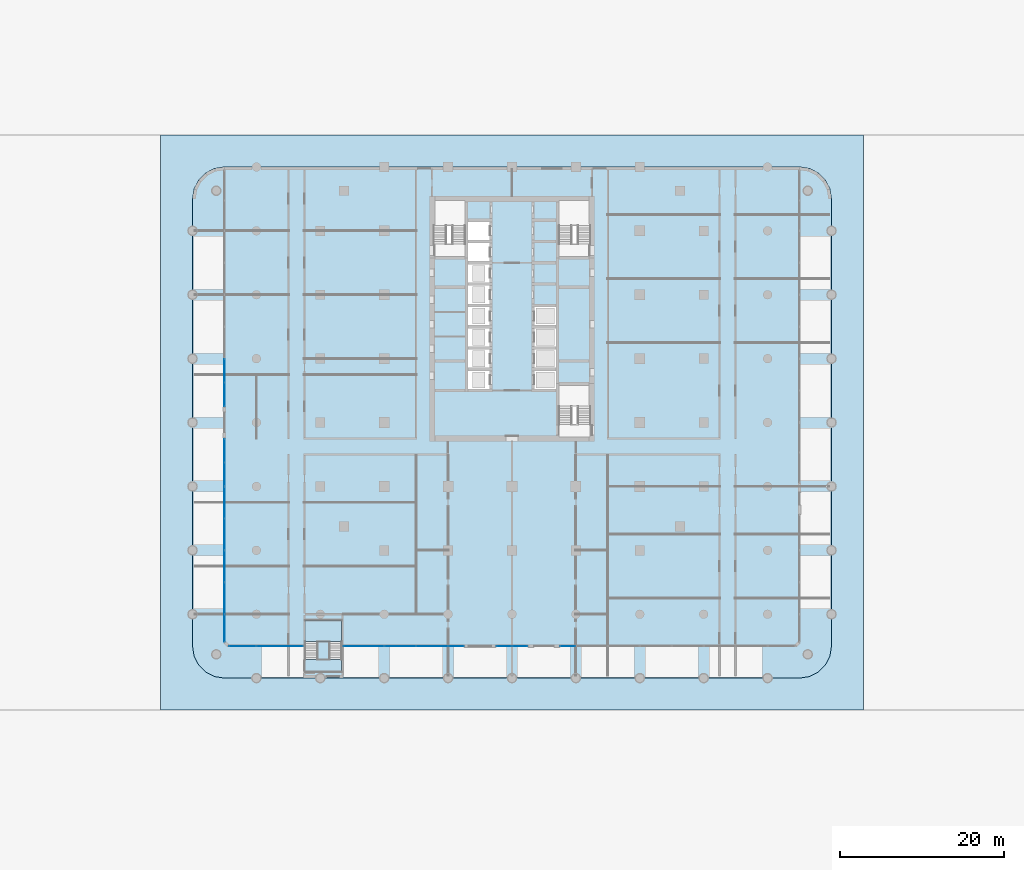
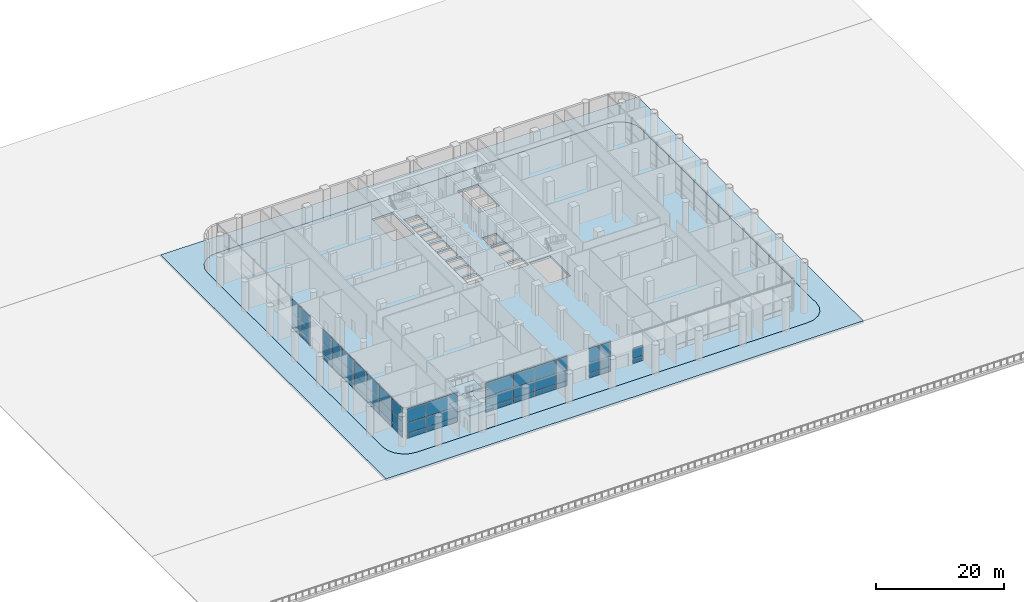
# One storey, part 8 of 32: 53 plates, 5 slabs, 14 elements without a shape of their own.
"""IFC4 building model written with IfcOpenShell, lengths in metres."""

from ifc_helpers import new_model, si_unit, direction, frame, origin, origin_2d, place, context, subcontext, project, spatial, polyline, rectangle, outline, extrude, material, layer, layer_set, type_object, element, aggregate, save


model = new_model("IFC4")

# Units and contexts
model_context = context("Model", 3, precision=1e-05, world=origin(), true_north=direction((0.0, 1.0)))
body_context = subcontext(model_context, "Body", "Model", "MODEL_VIEW")
ifc_project = project(units=[si_unit("LENGTHUNIT", "METRE"), si_unit("AREAUNIT", "SQUARE_METRE"), si_unit("VOLUMEUNIT", "CUBIC_METRE"), si_unit("PLANEANGLEUNIT", "RADIAN"), si_unit("MASSUNIT", "GRAM", prefix="KILO")], contexts=[model_context])

# Site, building, storey
site_placement = place(None, origin())
site = spatial("IfcSite", under=ifc_project, at=site_placement, CompositionType="ELEMENT")
building_placement = place(site_placement, origin())
building = spatial("IfcBuilding", under=site, at=building_placement, Name="Ludao Terraces", CompositionType="ELEMENT")
storey_placement = place(building_placement, origin())
storey = spatial("IfcBuildingStorey", under=building, at=storey_placement, Name="L00", CompositionType="ELEMENT", Elevation=0.0)

# Curtain wall, plates
ifc_material_1 = material(Name="Aluminium curtain wall with fritted glass", Category="aluminium")
curtain_wall_type = type_object("IfcCurtainWallType", Name="ENV CW2 entrance glazing", PredefinedType="NOTDEFINED", material=ifc_material_1)
curtain_wall_1_placement = place(storey_placement, origin())
curtain_wall_1 = element("IfcCurtainWall", 1, at=curtain_wall_1_placement, inside=storey, type_object=curtain_wall_type, Name="CW-L00-S1", PredefinedType="NOTDEFINED")
ifc_material_2 = material(Name="Fritted glass panel", Category="glass")
ifc_layer_1 = layer(ifc_material_2, 0.033935546875)
ifc_layer_set_1 = layer_set([ifc_layer_1], Name="ENV CW2 glass panel")
plate_type = type_object("IfcPlateType", Name="ENV CW2 glass panel", PredefinedType="CURTAIN_PANEL", material=ifc_layer_set_1)
plate_1_placement = place(storey_placement, frame((52.10009765625, 29.89990234375, 0.06005859375), z_axis=(0.0, 0.0, 1.0), x_axis=(1.0, 0.0, 0.0)))
plate_1 = element("IfcPlate", 2, at=plate_1_placement, type_object=plate_type, Name="CW2 panel 1.1", PredefinedType="CURTAIN_PANEL", context=body_context, shape_type="SweptSolid", body=[
    extrude(rectangle(XDim=3.280029296875, YDim=0.033935546875, at=origin_2d()), origin(), (0.0, 0.0, 1.0), 0.909912109375),
])
plate_2_placement = place(storey_placement, frame((52.10009765625, 29.89990234375, 1.030029296875), z_axis=(0.0, 0.0, 1.0), x_axis=(1.0, 0.0, 0.0)))
plate_2 = element("IfcPlate", 3, at=plate_2_placement, type_object=plate_type, Name="CW2 panel 1.2", PredefinedType="CURTAIN_PANEL", context=body_context, shape_type="SweptSolid", body=[
    extrude(rectangle(XDim=3.280029296875, YDim=0.033935546875, at=origin_2d()), origin(), (0.0, 0.0, 1.0), 1.93994140625),
])
plate_3_placement = place(storey_placement, frame((52.10009765625, 29.89990234375, 3.02978515625), z_axis=(0.0, 0.0, 1.0), x_axis=(1.0, 0.0, 0.0)))
plate_3 = element("IfcPlate", 4, at=plate_3_placement, type_object=plate_type, Name="CW2 panel 1.3", PredefinedType="CURTAIN_PANEL", context=body_context, shape_type="SweptSolid", body=[
    extrude(rectangle(XDim=3.280029296875, YDim=0.033935546875, at=origin_2d()), origin(), (0.0, 0.0, 1.0), 2.610107421875),
])
aggregate(curtain_wall_1, [plate_1, plate_2, plate_3])

curtain_wall_2_placement = place(storey_placement, origin())
curtain_wall_2 = element("IfcCurtainWall", 5, at=curtain_wall_2_placement, inside=storey, type_object=curtain_wall_type, Name="CW-L00-S2", PredefinedType="NOTDEFINED")
plate_4_placement = place(storey_placement, frame((56.6650390625, 29.89990234375, 0.06005859375), z_axis=(0.0, 0.0, 1.0), x_axis=(1.0, 0.0, 0.0)))
plate_4 = element("IfcPlate", 6, at=plate_4_placement, type_object=plate_type, Name="CW2 panel 1.1", PredefinedType="CURTAIN_PANEL", context=body_context, shape_type="SweptSolid", body=[
    extrude(rectangle(XDim=5.610107421875, YDim=0.033935546875, at=origin_2d()), origin(), (0.0, 0.0, 1.0), 0.909912109375),
])
plate_5_placement = place(storey_placement, frame((56.6650390625, 29.89990234375, 1.030029296875), z_axis=(0.0, 0.0, 1.0), x_axis=(1.0, 0.0, 0.0)))
plate_5 = element("IfcPlate", 7, at=plate_5_placement, type_object=plate_type, Name="CW2 panel 1.2", PredefinedType="CURTAIN_PANEL", context=body_context, shape_type="SweptSolid", body=[
    extrude(rectangle(XDim=5.610107421875, YDim=0.033935546875, at=origin_2d()), origin(), (0.0, 0.0, 1.0), 1.93994140625),
])
plate_6_placement = place(storey_placement, frame((56.6650390625, 29.89990234375, 3.02978515625), z_axis=(0.0, 0.0, 1.0), x_axis=(1.0, 0.0, 0.0)))
plate_6 = element("IfcPlate", 8, at=plate_6_placement, type_object=plate_type, Name="CW2 panel 1.3", PredefinedType="CURTAIN_PANEL", context=body_context, shape_type="SweptSolid", body=[
    extrude(rectangle(XDim=5.610107421875, YDim=0.033935546875, at=origin_2d()), origin(), (0.0, 0.0, 1.0), 2.610107421875),
])
aggregate(curtain_wall_2, [plate_4, plate_5, plate_6])

curtain_wall_3_placement = place(storey_placement, origin())
curtain_wall_3 = element("IfcCurtainWall", 9, at=curtain_wall_3_placement, inside=storey, type_object=curtain_wall_type, Name="CW-L00-S3", PredefinedType="NOTDEFINED")
plate_7_placement = place(storey_placement, frame((66.909912109375, 29.89990234375, 0.06005859375), z_axis=(0.0, 0.0, 1.0), x_axis=(1.0, 0.0, 0.0)))
plate_7 = element("IfcPlate", 10, at=plate_7_placement, type_object=plate_type, Name="CW2 panel 1.1", PredefinedType="CURTAIN_PANEL", context=body_context, shape_type="SweptSolid", body=[
    extrude(rectangle(XDim=4.860107421875, YDim=0.033935546875, at=origin_2d()), origin(), (0.0, 0.0, 1.0), 0.909912109375),
])
plate_8_placement = place(storey_placement, frame((66.909912109375, 29.89990234375, 1.030029296875), z_axis=(0.0, 0.0, 1.0), x_axis=(1.0, 0.0, 0.0)))
plate_8 = element("IfcPlate", 11, at=plate_8_placement, type_object=plate_type, Name="CW2 panel 1.2", PredefinedType="CURTAIN_PANEL", context=body_context, shape_type="SweptSolid", body=[
    extrude(rectangle(XDim=4.860107421875, YDim=0.033935546875, at=origin_2d()), origin(), (0.0, 0.0, 1.0), 1.93994140625),
])
plate_9_placement = place(storey_placement, frame((66.909912109375, 29.89990234375, 3.02978515625), z_axis=(0.0, 0.0, 1.0), x_axis=(1.0, 0.0, 0.0)))
plate_9 = element("IfcPlate", 12, at=plate_9_placement, type_object=plate_type, Name="CW2 panel 1.3", PredefinedType="CURTAIN_PANEL", context=body_context, shape_type="SweptSolid", body=[
    extrude(rectangle(XDim=4.860107421875, YDim=0.033935546875, at=origin_2d()), origin(), (0.0, 0.0, 1.0), 2.610107421875),
])
aggregate(curtain_wall_3, [plate_7, plate_8, plate_9])

curtain_wall_4_placement = place(storey_placement, origin())
curtain_wall_4 = element("IfcCurtainWall", 13, at=curtain_wall_4_placement, inside=storey, type_object=curtain_wall_type, Name="CW-L00-S4", PredefinedType="NOTDEFINED")
plate_10_placement = place(storey_placement, frame((71.364990234375, 29.89990234375, 0.06005859375), z_axis=(0.0, 0.0, 1.0), x_axis=(1.0, 0.0, 0.0)))
plate_10 = element("IfcPlate", 14, at=plate_10_placement, type_object=plate_type, Name="CW2 panel 1.1", PredefinedType="CURTAIN_PANEL", context=body_context, shape_type="SweptSolid", body=[
    extrude(rectangle(XDim=3.81005859375, YDim=0.033935546875, at=origin_2d()), origin(), (0.0, 0.0, 1.0), 0.909912109375),
])
plate_11_placement = place(storey_placement, frame((71.364990234375, 29.89990234375, 1.030029296875), z_axis=(0.0, 0.0, 1.0), x_axis=(1.0, 0.0, 0.0)))
plate_11 = element("IfcPlate", 15, at=plate_11_placement, type_object=plate_type, Name="CW2 panel 1.2", PredefinedType="CURTAIN_PANEL", context=body_context, shape_type="SweptSolid", body=[
    extrude(rectangle(XDim=3.81005859375, YDim=0.033935546875, at=origin_2d()), origin(), (0.0, 0.0, 1.0), 1.93994140625),
])
plate_12_placement = place(storey_placement, frame((71.364990234375, 29.89990234375, 3.02978515625), z_axis=(0.0, 0.0, 1.0), x_axis=(1.0, 0.0, 0.0)))
plate_12 = element("IfcPlate", 16, at=plate_12_placement, type_object=plate_type, Name="CW2 panel 1.3", PredefinedType="CURTAIN_PANEL", context=body_context, shape_type="SweptSolid", body=[
    extrude(rectangle(XDim=3.81005859375, YDim=0.033935546875, at=origin_2d()), origin(), (0.0, 0.0, 1.0), 2.610107421875),
])
plate_13_placement = place(storey_placement, frame((75.235107421875, 29.89990234375, 0.06005859375), z_axis=(0.0, 0.0, 1.0), x_axis=(1.0, 0.0, 0.0)))
plate_13 = element("IfcPlate", 17, at=plate_13_placement, type_object=plate_type, Name="CW2 panel 2.1", PredefinedType="CURTAIN_PANEL", context=body_context, shape_type="SweptSolid", body=[
    extrude(rectangle(XDim=3.81005859375, YDim=0.033935546875, at=origin_2d()), origin(), (0.0, 0.0, 1.0), 0.909912109375),
])
plate_14_placement = place(storey_placement, frame((75.235107421875, 29.89990234375, 1.030029296875), z_axis=(0.0, 0.0, 1.0), x_axis=(1.0, 0.0, 0.0)))
plate_14 = element("IfcPlate", 18, at=plate_14_placement, type_object=plate_type, Name="CW2 panel 2.2", PredefinedType="CURTAIN_PANEL", context=body_context, shape_type="SweptSolid", body=[
    extrude(rectangle(XDim=3.81005859375, YDim=0.033935546875, at=origin_2d()), origin(), (0.0, 0.0, 1.0), 1.93994140625),
])
plate_15_placement = place(storey_placement, frame((75.235107421875, 29.89990234375, 3.02978515625), z_axis=(0.0, 0.0, 1.0), x_axis=(1.0, 0.0, 0.0)))
plate_15 = element("IfcPlate", 19, at=plate_15_placement, type_object=plate_type, Name="CW2 panel 2.3", PredefinedType="CURTAIN_PANEL", context=body_context, shape_type="SweptSolid", body=[
    extrude(rectangle(XDim=3.81005859375, YDim=0.033935546875, at=origin_2d()), origin(), (0.0, 0.0, 1.0), 2.610107421875),
])
aggregate(curtain_wall_4, [plate_10, plate_11, plate_12, plate_13, plate_14, plate_15])

curtain_wall_5_placement = place(storey_placement, origin())
curtain_wall_5 = element("IfcCurtainWall", 20, at=curtain_wall_5_placement, inside=storey, type_object=curtain_wall_type, Name="CW-L00-S5", PredefinedType="NOTDEFINED")
plate_16_placement = place(storey_placement, frame((78.175048828125, 29.89990234375, 0.06005859375), z_axis=(0.0, 0.0, 1.0), x_axis=(1.0, 0.0, 0.0)))
plate_16 = element("IfcPlate", 21, at=plate_16_placement, type_object=plate_type, Name="CW2 panel 1.1", PredefinedType="CURTAIN_PANEL", context=body_context, shape_type="SweptSolid", body=[
    extrude(rectangle(XDim=1.830078125, YDim=0.033935546875, at=origin_2d()), origin(), (0.0, 0.0, 1.0), 0.909912109375),
])
plate_17_placement = place(storey_placement, frame((78.175048828125, 29.89990234375, 1.030029296875), z_axis=(0.0, 0.0, 1.0), x_axis=(1.0, 0.0, 0.0)))
plate_17 = element("IfcPlate", 22, at=plate_17_placement, type_object=plate_type, Name="CW2 panel 1.2", PredefinedType="CURTAIN_PANEL", context=body_context, shape_type="SweptSolid", body=[
    extrude(rectangle(XDim=1.830078125, YDim=0.033935546875, at=origin_2d()), origin(), (0.0, 0.0, 1.0), 1.93994140625),
])
plate_18_placement = place(storey_placement, frame((78.175048828125, 29.89990234375, 3.02978515625), z_axis=(0.0, 0.0, 1.0), x_axis=(1.0, 0.0, 0.0)))
plate_18 = element("IfcPlate", 23, at=plate_18_placement, type_object=plate_type, Name="CW2 panel 1.3", PredefinedType="CURTAIN_PANEL", context=body_context, shape_type="SweptSolid", body=[
    extrude(rectangle(XDim=1.830078125, YDim=0.033935546875, at=origin_2d()), origin(), (0.0, 0.0, 1.0), 2.610107421875),
])
aggregate(curtain_wall_5, [plate_16, plate_17, plate_18])

curtain_wall_6_placement = place(storey_placement, origin())
curtain_wall_6 = element("IfcCurtainWall", 24, at=curtain_wall_6_placement, inside=storey, type_object=curtain_wall_type, Name="CW-L00-S7", PredefinedType="NOTDEFINED")
plate_19_placement = place(storey_placement, frame((84.02490234375, 29.89990234375, 0.06005859375), z_axis=(0.0, 0.0, 1.0), x_axis=(1.0, 0.0, 0.0)))
plate_19 = element("IfcPlate", 25, at=plate_19_placement, type_object=plate_type, Name="CW2 panel 1.1", PredefinedType="CURTAIN_PANEL", context=body_context, shape_type="SweptSolid", body=[
    extrude(rectangle(XDim=1.830078125, YDim=0.033935546875, at=origin_2d()), origin(), (0.0, 0.0, 1.0), 0.909912109375),
])
plate_20_placement = place(storey_placement, frame((84.02490234375, 29.89990234375, 1.030029296875), z_axis=(0.0, 0.0, 1.0), x_axis=(1.0, 0.0, 0.0)))
plate_20 = element("IfcPlate", 26, at=plate_20_placement, type_object=plate_type, Name="CW2 panel 1.2", PredefinedType="CURTAIN_PANEL", context=body_context, shape_type="SweptSolid", body=[
    extrude(rectangle(XDim=1.830078125, YDim=0.033935546875, at=origin_2d()), origin(), (0.0, 0.0, 1.0), 1.93994140625),
])
plate_21_placement = place(storey_placement, frame((84.02490234375, 29.89990234375, 3.02978515625), z_axis=(0.0, 0.0, 1.0), x_axis=(1.0, 0.0, 0.0)))
plate_21 = element("IfcPlate", 27, at=plate_21_placement, type_object=plate_type, Name="CW2 panel 1.3", PredefinedType="CURTAIN_PANEL", context=body_context, shape_type="SweptSolid", body=[
    extrude(rectangle(XDim=1.830078125, YDim=0.033935546875, at=origin_2d()), origin(), (0.0, 0.0, 1.0), 2.610107421875),
])
aggregate(curtain_wall_6, [plate_19, plate_20, plate_21])

curtain_wall_7_placement = place(storey_placement, origin())
curtain_wall_7 = element("IfcCurtainWall", 28, at=curtain_wall_7_placement, inside=storey, type_object=curtain_wall_type, Name="CW-L00-S8", PredefinedType="NOTDEFINED")
plate_22_placement = place(storey_placement, frame((85.97509765625, 29.89990234375, 0.06005859375), z_axis=(0.0, 0.0, 1.0), x_axis=(1.0, 0.0, 0.0)))
plate_22 = element("IfcPlate", 29, at=plate_22_placement, type_object=plate_type, Name="CW2 panel 1.1", PredefinedType="CURTAIN_PANEL", context=body_context, shape_type="SweptSolid", body=[
    extrude(rectangle(XDim=1.830078125, YDim=0.033935546875, at=origin_2d()), origin(), (0.0, 0.0, 1.0), 0.909912109375),
])
plate_23_placement = place(storey_placement, frame((85.97509765625, 29.89990234375, 1.030029296875), z_axis=(0.0, 0.0, 1.0), x_axis=(1.0, 0.0, 0.0)))
plate_23 = element("IfcPlate", 30, at=plate_23_placement, type_object=plate_type, Name="CW2 panel 1.2", PredefinedType="CURTAIN_PANEL", context=body_context, shape_type="SweptSolid", body=[
    extrude(rectangle(XDim=1.830078125, YDim=0.033935546875, at=origin_2d()), origin(), (0.0, 0.0, 1.0), 1.93994140625),
])
plate_24_placement = place(storey_placement, frame((85.97509765625, 29.89990234375, 3.02978515625), z_axis=(0.0, 0.0, 1.0), x_axis=(1.0, 0.0, 0.0)))
plate_24 = element("IfcPlate", 31, at=plate_24_placement, type_object=plate_type, Name="CW2 panel 1.3", PredefinedType="CURTAIN_PANEL", context=body_context, shape_type="SweptSolid", body=[
    extrude(rectangle(XDim=1.830078125, YDim=0.033935546875, at=origin_2d()), origin(), (0.0, 0.0, 1.0), 2.610107421875),
])
aggregate(curtain_wall_7, [plate_22, plate_23, plate_24])

curtain_wall_8_placement = place(storey_placement, origin())
curtain_wall_8 = element("IfcCurtainWall", 32, at=curtain_wall_8_placement, inside=storey, type_object=curtain_wall_type, Name="CW-L00-S10", PredefinedType="NOTDEFINED")
plate_25_placement = place(storey_placement, frame((91.824951171875, 29.89990234375, 0.06005859375), z_axis=(0.0, 0.0, 1.0), x_axis=(1.0, 0.0, 0.0)))
plate_25 = element("IfcPlate", 33, at=plate_25_placement, type_object=plate_type, Name="CW2 panel 1.1", PredefinedType="CURTAIN_PANEL", context=body_context, shape_type="SweptSolid", body=[
    extrude(rectangle(XDim=1.830078125, YDim=0.033935546875, at=origin_2d()), origin(), (0.0, 0.0, 1.0), 0.909912109375),
])
plate_26_placement = place(storey_placement, frame((91.824951171875, 29.89990234375, 1.030029296875), z_axis=(0.0, 0.0, 1.0), x_axis=(1.0, 0.0, 0.0)))
plate_26 = element("IfcPlate", 34, at=plate_26_placement, type_object=plate_type, Name="CW2 panel 1.2", PredefinedType="CURTAIN_PANEL", context=body_context, shape_type="SweptSolid", body=[
    extrude(rectangle(XDim=1.830078125, YDim=0.033935546875, at=origin_2d()), origin(), (0.0, 0.0, 1.0), 1.93994140625),
])
aggregate(curtain_wall_8, [plate_25, plate_26])

curtain_wall_9_placement = place(storey_placement, origin())
curtain_wall_9 = element("IfcCurtainWall", 35, at=curtain_wall_9_placement, inside=storey, type_object=curtain_wall_type, Name="CW-L00-W1", PredefinedType="NOTDEFINED")
plate_27_placement = place(storey_placement, frame((49.89990234375, 32.10009765625, 0.06005859375), z_axis=(0.0, 0.0, 1.0), x_axis=(0.0, 1.0, 0.0)))
plate_27 = element("IfcPlate", 36, at=plate_27_placement, type_object=plate_type, Name="CW2 panel 1.1", PredefinedType="CURTAIN_PANEL", context=body_context, shape_type="SweptSolid", body=[
    extrude(rectangle(XDim=3.280029296875, YDim=0.033935546875, at=origin_2d()), origin(), (0.0, 0.0, 1.0), 0.909912109375),
])
plate_28_placement = place(storey_placement, frame((49.89990234375, 32.10009765625, 1.030029296875), z_axis=(0.0, 0.0, 1.0), x_axis=(0.0, 1.0, 0.0)))
plate_28 = element("IfcPlate", 37, at=plate_28_placement, type_object=plate_type, Name="CW2 panel 1.2", PredefinedType="CURTAIN_PANEL", context=body_context, shape_type="SweptSolid", body=[
    extrude(rectangle(XDim=3.280029296875, YDim=0.033935546875, at=origin_2d()), origin(), (0.0, 0.0, 1.0), 1.93994140625),
])
plate_29_placement = place(storey_placement, frame((49.89990234375, 32.10009765625, 3.02978515625), z_axis=(0.0, 0.0, 1.0), x_axis=(0.0, 1.0, 0.0)))
plate_29 = element("IfcPlate", 38, at=plate_29_placement, type_object=plate_type, Name="CW2 panel 1.3", PredefinedType="CURTAIN_PANEL", context=body_context, shape_type="SweptSolid", body=[
    extrude(rectangle(XDim=3.280029296875, YDim=0.033935546875, at=origin_2d()), origin(), (0.0, 0.0, 1.0), 2.610107421875),
])
aggregate(curtain_wall_9, [plate_27, plate_28, plate_29])

curtain_wall_10_placement = place(storey_placement, origin())
curtain_wall_10 = element("IfcCurtainWall", 39, at=curtain_wall_10_placement, inside=storey, type_object=curtain_wall_type, Name="CW-L00-W2", PredefinedType="NOTDEFINED")
plate_30_placement = place(storey_placement, frame((49.89990234375, 35.764892578125, 0.06005859375), z_axis=(0.0, 0.0, 1.0), x_axis=(0.0, 1.0, 0.0)))
plate_30 = element("IfcPlate", 40, at=plate_30_placement, type_object=plate_type, Name="CW2 panel 1.1", PredefinedType="CURTAIN_PANEL", context=body_context, shape_type="SweptSolid", body=[
    extrude(rectangle(XDim=3.81005859375, YDim=0.033935546875, at=origin_2d()), origin(), (0.0, 0.0, 1.0), 0.909912109375),
])
plate_31_placement = place(storey_placement, frame((49.89990234375, 35.764892578125, 1.030029296875), z_axis=(0.0, 0.0, 1.0), x_axis=(0.0, 1.0, 0.0)))
plate_31 = element("IfcPlate", 41, at=plate_31_placement, type_object=plate_type, Name="CW2 panel 1.2", PredefinedType="CURTAIN_PANEL", context=body_context, shape_type="SweptSolid", body=[
    extrude(rectangle(XDim=3.81005859375, YDim=0.033935546875, at=origin_2d()), origin(), (0.0, 0.0, 1.0), 1.93994140625),
])
plate_32_placement = place(storey_placement, frame((49.89990234375, 35.764892578125, 3.02978515625), z_axis=(0.0, 0.0, 1.0), x_axis=(0.0, 1.0, 0.0)))
plate_32 = element("IfcPlate", 42, at=plate_32_placement, type_object=plate_type, Name="CW2 panel 1.3", PredefinedType="CURTAIN_PANEL", context=body_context, shape_type="SweptSolid", body=[
    extrude(rectangle(XDim=3.81005859375, YDim=0.033935546875, at=origin_2d()), origin(), (0.0, 0.0, 1.0), 2.610107421875),
])
plate_33_placement = place(storey_placement, frame((49.89990234375, 39.635009765625, 0.06005859375), z_axis=(0.0, 0.0, 1.0), x_axis=(0.0, 1.0, 0.0)))
plate_33 = element("IfcPlate", 43, at=plate_33_placement, type_object=plate_type, Name="CW2 panel 2.1", PredefinedType="CURTAIN_PANEL", context=body_context, shape_type="SweptSolid", body=[
    extrude(rectangle(XDim=3.81005859375, YDim=0.033935546875, at=origin_2d()), origin(), (0.0, 0.0, 1.0), 0.909912109375),
])
plate_34_placement = place(storey_placement, frame((49.89990234375, 39.635009765625, 1.030029296875), z_axis=(0.0, 0.0, 1.0), x_axis=(0.0, 1.0, 0.0)))
plate_34 = element("IfcPlate", 44, at=plate_34_placement, type_object=plate_type, Name="CW2 panel 2.2", PredefinedType="CURTAIN_PANEL", context=body_context, shape_type="SweptSolid", body=[
    extrude(rectangle(XDim=3.81005859375, YDim=0.033935546875, at=origin_2d()), origin(), (0.0, 0.0, 1.0), 1.93994140625),
])
plate_35_placement = place(storey_placement, frame((49.89990234375, 39.635009765625, 3.02978515625), z_axis=(0.0, 0.0, 1.0), x_axis=(0.0, 1.0, 0.0)))
plate_35 = element("IfcPlate", 45, at=plate_35_placement, type_object=plate_type, Name="CW2 panel 2.3", PredefinedType="CURTAIN_PANEL", context=body_context, shape_type="SweptSolid", body=[
    extrude(rectangle(XDim=3.81005859375, YDim=0.033935546875, at=origin_2d()), origin(), (0.0, 0.0, 1.0), 2.610107421875),
])
aggregate(curtain_wall_10, [plate_30, plate_31, plate_32, plate_33, plate_34, plate_35])

curtain_wall_11_placement = place(storey_placement, origin())
curtain_wall_11 = element("IfcCurtainWall", 46, at=curtain_wall_11_placement, inside=storey, type_object=curtain_wall_type, Name="CW-L00-W3", PredefinedType="NOTDEFINED")
plate_36_placement = place(storey_placement, frame((49.89990234375, 43.56494140625, 0.06005859375), z_axis=(0.0, 0.0, 1.0), x_axis=(0.0, 1.0, 0.0)))
plate_36 = element("IfcPlate", 47, at=plate_36_placement, type_object=plate_type, Name="CW2 panel 1.1", PredefinedType="CURTAIN_PANEL", context=body_context, shape_type="SweptSolid", body=[
    extrude(rectangle(XDim=3.81005859375, YDim=0.033935546875, at=origin_2d()), origin(), (0.0, 0.0, 1.0), 0.909912109375),
])
plate_37_placement = place(storey_placement, frame((49.89990234375, 43.56494140625, 1.030029296875), z_axis=(0.0, 0.0, 1.0), x_axis=(0.0, 1.0, 0.0)))
plate_37 = element("IfcPlate", 48, at=plate_37_placement, type_object=plate_type, Name="CW2 panel 1.2", PredefinedType="CURTAIN_PANEL", context=body_context, shape_type="SweptSolid", body=[
    extrude(rectangle(XDim=3.81005859375, YDim=0.033935546875, at=origin_2d()), origin(), (0.0, 0.0, 1.0), 1.93994140625),
])
plate_38_placement = place(storey_placement, frame((49.89990234375, 43.56494140625, 3.02978515625), z_axis=(0.0, 0.0, 1.0), x_axis=(0.0, 1.0, 0.0)))
plate_38 = element("IfcPlate", 49, at=plate_38_placement, type_object=plate_type, Name="CW2 panel 1.3", PredefinedType="CURTAIN_PANEL", context=body_context, shape_type="SweptSolid", body=[
    extrude(rectangle(XDim=3.81005859375, YDim=0.033935546875, at=origin_2d()), origin(), (0.0, 0.0, 1.0), 2.610107421875),
])
plate_39_placement = place(storey_placement, frame((49.89990234375, 47.43505859375, 0.06005859375), z_axis=(0.0, 0.0, 1.0), x_axis=(0.0, 1.0, 0.0)))
plate_39 = element("IfcPlate", 50, at=plate_39_placement, type_object=plate_type, Name="CW2 panel 2.1", PredefinedType="CURTAIN_PANEL", context=body_context, shape_type="SweptSolid", body=[
    extrude(rectangle(XDim=3.81005859375, YDim=0.033935546875, at=origin_2d()), origin(), (0.0, 0.0, 1.0), 0.909912109375),
])
plate_40_placement = place(storey_placement, frame((49.89990234375, 47.43505859375, 1.030029296875), z_axis=(0.0, 0.0, 1.0), x_axis=(0.0, 1.0, 0.0)))
plate_40 = element("IfcPlate", 51, at=plate_40_placement, type_object=plate_type, Name="CW2 panel 2.2", PredefinedType="CURTAIN_PANEL", context=body_context, shape_type="SweptSolid", body=[
    extrude(rectangle(XDim=3.81005859375, YDim=0.033935546875, at=origin_2d()), origin(), (0.0, 0.0, 1.0), 1.93994140625),
])
plate_41_placement = place(storey_placement, frame((49.89990234375, 47.43505859375, 3.02978515625), z_axis=(0.0, 0.0, 1.0), x_axis=(0.0, 1.0, 0.0)))
plate_41 = element("IfcPlate", 52, at=plate_41_placement, type_object=plate_type, Name="CW2 panel 2.3", PredefinedType="CURTAIN_PANEL", context=body_context, shape_type="SweptSolid", body=[
    extrude(rectangle(XDim=3.81005859375, YDim=0.033935546875, at=origin_2d()), origin(), (0.0, 0.0, 1.0), 2.610107421875),
])
aggregate(curtain_wall_11, [plate_36, plate_37, plate_38, plate_39, plate_40, plate_41])

curtain_wall_12_placement = place(storey_placement, origin())
curtain_wall_12 = element("IfcCurtainWall", 53, at=curtain_wall_12_placement, inside=storey, type_object=curtain_wall_type, Name="CW-L00-W4", PredefinedType="NOTDEFINED")
plate_42_placement = place(storey_placement, frame((49.89990234375, 50.87744140625, 0.06005859375), z_axis=(0.0, 0.0, 1.0), x_axis=(0.0, 1.0, 0.0)))
plate_42 = element("IfcPlate", 54, at=plate_42_placement, type_object=plate_type, Name="CW2 panel 1.1", PredefinedType="CURTAIN_PANEL", context=body_context, shape_type="SweptSolid", body=[
    extrude(rectangle(XDim=2.8349609375, YDim=0.033935546875, at=origin_2d()), origin(), (0.0, 0.0, 1.0), 0.909912109375),
])
plate_43_placement = place(storey_placement, frame((49.89990234375, 50.87744140625, 1.030029296875), z_axis=(0.0, 0.0, 1.0), x_axis=(0.0, 1.0, 0.0)))
plate_43 = element("IfcPlate", 55, at=plate_43_placement, type_object=plate_type, Name="CW2 panel 1.2", PredefinedType="CURTAIN_PANEL", context=body_context, shape_type="SweptSolid", body=[
    extrude(rectangle(XDim=2.8349609375, YDim=0.033935546875, at=origin_2d()), origin(), (0.0, 0.0, 1.0), 1.93994140625),
])
plate_44_placement = place(storey_placement, frame((49.89990234375, 50.87744140625, 3.02978515625), z_axis=(0.0, 0.0, 1.0), x_axis=(0.0, 1.0, 0.0)))
plate_44 = element("IfcPlate", 56, at=plate_44_placement, type_object=plate_type, Name="CW2 panel 1.3", PredefinedType="CURTAIN_PANEL", context=body_context, shape_type="SweptSolid", body=[
    extrude(rectangle(XDim=2.8349609375, YDim=0.033935546875, at=origin_2d()), origin(), (0.0, 0.0, 1.0), 2.610107421875),
])
plate_45_placement = place(storey_placement, frame((49.89990234375, 53.7724609375, 0.06005859375), z_axis=(0.0, 0.0, 1.0), x_axis=(0.0, 1.0, 0.0)))
plate_45 = element("IfcPlate", 57, at=plate_45_placement, type_object=plate_type, Name="CW2 panel 2.1", PredefinedType="CURTAIN_PANEL", context=body_context, shape_type="SweptSolid", body=[
    extrude(rectangle(XDim=2.8349609375, YDim=0.033935546875, at=origin_2d()), origin(), (0.0, 0.0, 1.0), 0.909912109375),
])
plate_46_placement = place(storey_placement, frame((49.89990234375, 53.7724609375, 1.030029296875), z_axis=(0.0, 0.0, 1.0), x_axis=(0.0, 1.0, 0.0)))
plate_46 = element("IfcPlate", 58, at=plate_46_placement, type_object=plate_type, Name="CW2 panel 2.2", PredefinedType="CURTAIN_PANEL", context=body_context, shape_type="SweptSolid", body=[
    extrude(rectangle(XDim=2.8349609375, YDim=0.033935546875, at=origin_2d()), origin(), (0.0, 0.0, 1.0), 1.93994140625),
])
plate_47_placement = place(storey_placement, frame((49.89990234375, 53.7724609375, 3.02978515625), z_axis=(0.0, 0.0, 1.0), x_axis=(0.0, 1.0, 0.0)))
plate_47 = element("IfcPlate", 59, at=plate_47_placement, type_object=plate_type, Name="CW2 panel 2.3", PredefinedType="CURTAIN_PANEL", context=body_context, shape_type="SweptSolid", body=[
    extrude(rectangle(XDim=2.8349609375, YDim=0.033935546875, at=origin_2d()), origin(), (0.0, 0.0, 1.0), 2.610107421875),
])
aggregate(curtain_wall_12, [plate_42, plate_43, plate_44, plate_45, plate_46, plate_47])

curtain_wall_13_placement = place(storey_placement, origin())
curtain_wall_13 = element("IfcCurtainWall", 60, at=curtain_wall_13_placement, inside=storey, type_object=curtain_wall_type, Name="CW-L00-W6", PredefinedType="NOTDEFINED")
plate_48_placement = place(storey_placement, frame((49.89990234375, 60.62744140625, 0.06005859375), z_axis=(0.0, 0.0, 1.0), x_axis=(0.0, 1.0, 0.0)))
plate_48 = element("IfcPlate", 61, at=plate_48_placement, type_object=plate_type, Name="CW2 panel 1.1", PredefinedType="CURTAIN_PANEL", context=body_context, shape_type="SweptSolid", body=[
    extrude(rectangle(XDim=2.8349609375, YDim=0.033935546875, at=origin_2d()), origin(), (0.0, 0.0, 1.0), 0.909912109375),
])
plate_49_placement = place(storey_placement, frame((49.89990234375, 60.62744140625, 1.030029296875), z_axis=(0.0, 0.0, 1.0), x_axis=(0.0, 1.0, 0.0)))
plate_49 = element("IfcPlate", 62, at=plate_49_placement, type_object=plate_type, Name="CW2 panel 1.2", PredefinedType="CURTAIN_PANEL", context=body_context, shape_type="SweptSolid", body=[
    extrude(rectangle(XDim=2.8349609375, YDim=0.033935546875, at=origin_2d()), origin(), (0.0, 0.0, 1.0), 1.93994140625),
])
plate_50_placement = place(storey_placement, frame((49.89990234375, 60.62744140625, 3.02978515625), z_axis=(0.0, 0.0, 1.0), x_axis=(0.0, 1.0, 0.0)))
plate_50 = element("IfcPlate", 63, at=plate_50_placement, type_object=plate_type, Name="CW2 panel 1.3", PredefinedType="CURTAIN_PANEL", context=body_context, shape_type="SweptSolid", body=[
    extrude(rectangle(XDim=2.8349609375, YDim=0.033935546875, at=origin_2d()), origin(), (0.0, 0.0, 1.0), 2.610107421875),
])
plate_51_placement = place(storey_placement, frame((49.89990234375, 63.5224609375, 0.06005859375), z_axis=(0.0, 0.0, 1.0), x_axis=(0.0, 1.0, 0.0)))
plate_51 = element("IfcPlate", 64, at=plate_51_placement, type_object=plate_type, Name="CW2 panel 2.1", PredefinedType="CURTAIN_PANEL", context=body_context, shape_type="SweptSolid", body=[
    extrude(rectangle(XDim=2.8349609375, YDim=0.033935546875, at=origin_2d()), origin(), (0.0, 0.0, 1.0), 0.909912109375),
])
plate_52_placement = place(storey_placement, frame((49.89990234375, 63.5224609375, 1.030029296875), z_axis=(0.0, 0.0, 1.0), x_axis=(0.0, 1.0, 0.0)))
plate_52 = element("IfcPlate", 65, at=plate_52_placement, type_object=plate_type, Name="CW2 panel 2.2", PredefinedType="CURTAIN_PANEL", context=body_context, shape_type="SweptSolid", body=[
    extrude(rectangle(XDim=2.8349609375, YDim=0.033935546875, at=origin_2d()), origin(), (0.0, 0.0, 1.0), 1.93994140625),
])
plate_53_placement = place(storey_placement, frame((49.89990234375, 63.5224609375, 3.02978515625), z_axis=(0.0, 0.0, 1.0), x_axis=(0.0, 1.0, 0.0)))
plate_53 = element("IfcPlate", 66, at=plate_53_placement, type_object=plate_type, Name="CW2 panel 2.3", PredefinedType="CURTAIN_PANEL", context=body_context, shape_type="SweptSolid", body=[
    extrude(rectangle(XDim=2.8349609375, YDim=0.033935546875, at=origin_2d()), origin(), (0.0, 0.0, 1.0), 2.610107421875),
])
aggregate(curtain_wall_13, [plate_48, plate_49, plate_50, plate_51, plate_52, plate_53])

# Slabs
ifc_material_3 = material(Name="Concrete C40", Category="concrete")
ifc_layer_2 = layer(ifc_material_3, 0.39990234375)
ifc_layer_set_2 = layer_set([ifc_layer_2], Name="Floor slab 400 C40")
slab_type_1 = type_object("IfcSlabType", Name="Floor slab 400 C40", PredefinedType="FLOOR", material=ifc_layer_set_2)
slab_1_placement = place(storey_placement, frame((0.0, 0.0, -0.39990234375)))
element("IfcSlab", 67, at=slab_1_placement, inside=storey, type_object=slab_type_1, Name="Slab L00", PredefinedType="FLOOR", context=body_context, shape_type="SweptSolid", body=[
    extrude(outline(polyline([(120.10009765625, 26.0), (121.30517578125, 26.19091796875), (122.392333984375, 26.744873046875), (123.255126953125, 27.607666015625), (123.80908203125, 28.69482421875), (124.0, 29.89990234375), (124.0, 84.5), (123.80908203125, 85.705078125), (123.255126953125, 86.79248046875), (122.392333984375, 87.6552734375), (121.30517578125, 88.209228515625), (120.10009765625, 88.39990234375), (49.89990234375, 88.39990234375), (48.69482421875, 88.209228515625), (47.607666015625, 87.6552734375), (46.744873046875, 86.79248046875), (46.19091796875, 85.705078125), (46.0, 84.5), (46.0, 29.89990234375), (46.19091796875, 28.69482421875), (46.744873046875, 27.607666015625), (47.607666015625, 26.744873046875), (48.69482421875, 26.19091796875), (49.89990234375, 26.0), (120.10009765625, 26.0)]), holes=[polyline([(79.64990234375, 61.300048828125), (82.25, 61.300048828125), (82.25, 63.5), (79.64990234375, 63.5), (79.64990234375, 61.300048828125)]), polyline([(79.64990234375, 63.89990234375), (82.25, 63.89990234375), (82.25, 66.10009765625), (79.64990234375, 66.10009765625), (79.64990234375, 63.89990234375)]), polyline([(79.64990234375, 66.5), (82.25, 66.5), (82.25, 68.699951171875), (79.64990234375, 68.699951171875), (79.64990234375, 66.5)]), polyline([(79.64990234375, 69.10009765625), (82.25, 69.10009765625), (82.25, 71.300048828125), (79.64990234375, 71.300048828125), (79.64990234375, 69.10009765625)]), polyline([(79.64990234375, 71.699951171875), (82.25, 71.699951171875), (82.25, 73.89990234375), (79.64990234375, 73.89990234375), (79.64990234375, 71.699951171875)]), polyline([(79.64990234375, 74.300048828125), (82.25, 74.300048828125), (82.25, 76.5), (79.64990234375, 76.5), (79.64990234375, 74.300048828125)]), polyline([(79.64990234375, 76.89990234375), (82.25, 76.89990234375), (82.25, 79.10009765625), (79.64990234375, 79.10009765625), (79.64990234375, 76.89990234375)]), polyline([(79.64990234375, 79.5), (82.25, 79.5), (82.25, 81.699951171875), (79.64990234375, 81.699951171875), (79.64990234375, 79.5)]), polyline([(87.75, 61.300048828125), (90.35009765625, 61.300048828125), (90.35009765625, 63.5), (87.75, 63.5), (87.75, 61.300048828125)]), polyline([(87.75, 63.89990234375), (90.35009765625, 63.89990234375), (90.35009765625, 66.10009765625), (87.75, 66.10009765625), (87.75, 63.89990234375)]), polyline([(87.75, 66.5), (90.35009765625, 66.5), (90.35009765625, 68.699951171875), (87.75, 68.699951171875), (87.75, 66.5)]), polyline([(87.75, 69.10009765625), (90.35009765625, 69.10009765625), (90.35009765625, 71.300048828125), (87.75, 71.300048828125), (87.75, 69.10009765625)]), polyline([(75.449951171875, 77.5), (79.25, 77.5), (79.25, 84.239990234375), (75.449951171875, 84.239990234375), (75.449951171875, 77.5)]), polyline([(90.75, 77.5), (94.550048828125, 77.5), (94.550048828125, 84.239990234375), (90.75, 84.239990234375), (90.75, 77.5)]), polyline([(90.75, 55.449951171875), (94.550048828125, 55.449951171875), (94.550048828125, 61.75), (90.75, 61.75), (90.75, 55.449951171875)])]), origin(), (0.0, 0.0, 1.0), 0.39990234375),
])
slab_2_placement = place(storey_placement, frame((0.0, 0.0, -0.39990234375)))
element("IfcSlab", 68, at=slab_2_placement, inside=storey, type_object=slab_type_1, Name="Plaza deck", PredefinedType="FLOOR", context=body_context, shape_type="SweptSolid", body=[
    extrude(outline(polyline([(42.10009765625, 22.10009765625), (127.89990234375, 22.10009765625), (127.89990234375, 92.300048828125), (42.10009765625, 92.300048828125), (42.10009765625, 22.10009765625)]), holes=[polyline([(120.10009765625, 26.0), (121.30517578125, 26.19091796875), (122.392333984375, 26.744873046875), (123.255126953125, 27.607666015625), (123.80908203125, 28.69482421875), (124.0, 29.89990234375), (124.0, 84.5), (123.80908203125, 85.705078125), (123.255126953125, 86.79248046875), (122.392333984375, 87.6552734375), (121.30517578125, 88.209228515625), (120.10009765625, 88.39990234375), (49.89990234375, 88.39990234375), (48.69482421875, 88.209228515625), (47.607666015625, 87.6552734375), (46.744873046875, 86.79248046875), (46.19091796875, 85.705078125), (46.0, 84.5), (46.0, 29.89990234375), (46.19091796875, 28.69482421875), (46.744873046875, 27.607666015625), (47.607666015625, 26.744873046875), (48.69482421875, 26.19091796875), (49.89990234375, 26.0), (120.10009765625, 26.0)])]), origin(), (0.0, 0.0, 1.0), 0.39990234375),
])

# Stair, slabs
stair_type = type_object("IfcStairType", Name="INT Stair", PredefinedType="HALF_TURN_STAIR", material=ifc_material_3)
stair_placement = place(storey_placement, origin())
stair = element("IfcStair", 69, at=stair_placement, inside=storey, type_object=stair_type, Name="EXIT STAIR 4", PredefinedType="HALF_TURN_STAIR")
ifc_layer_3 = layer(ifc_material_3, 0.199951171875)
ifc_layer_set_3 = layer_set([ifc_layer_3], Name="INT Stair landing 200")
slab_type_2 = type_object("IfcSlabType", Name="INT Stair landing 200", PredefinedType="LANDING", material=ifc_layer_set_3)
slab_3_placement = place(storey_placement, frame((0.0, 0.0, 1.300048828125)))
slab_3 = element("IfcSlab", 70, at=slab_3_placement, type_object=slab_type_2, Name="ST4 landing 1", PredefinedType="LANDING", context=body_context, shape_type="SweptSolid", body=[
    extrude(outline(polyline([(59.75, 30.489990234375), (64.199951171875, 30.489990234375), (64.199951171875, 33.050048828125), (59.75, 33.050048828125), (59.75, 30.489990234375)])), origin(), (0.0, 0.0, 1.0), 0.199951171875),
])
slab_4_placement = place(storey_placement, frame((0.0, 0.0, 2.800048828125)))
slab_4 = element("IfcSlab", 71, at=slab_4_placement, type_object=slab_type_2, Name="ST4 landing 2", PredefinedType="LANDING", context=body_context, shape_type="SweptSolid", body=[
    extrude(outline(polyline([(59.75, 26.75), (64.199951171875, 26.75), (64.199951171875, 28.25), (59.75, 28.25), (59.75, 26.75)])), origin(), (0.0, 0.0, 1.0), 0.199951171875),
])
slab_5_placement = place(storey_placement, frame((0.0, 0.0, 4.300048828125)))
slab_5 = element("IfcSlab", 72, at=slab_5_placement, type_object=slab_type_2, Name="ST4 landing 3", PredefinedType="LANDING", context=body_context, shape_type="SweptSolid", body=[
    extrude(outline(polyline([(59.75, 30.489990234375), (64.199951171875, 30.489990234375), (64.199951171875, 33.050048828125), (59.75, 33.050048828125), (59.75, 30.489990234375)])), origin(), (0.0, 0.0, 1.0), 0.199951171875),
])
aggregate(stair, [slab_3, slab_4, slab_5])

save(model, "model.ifc")
